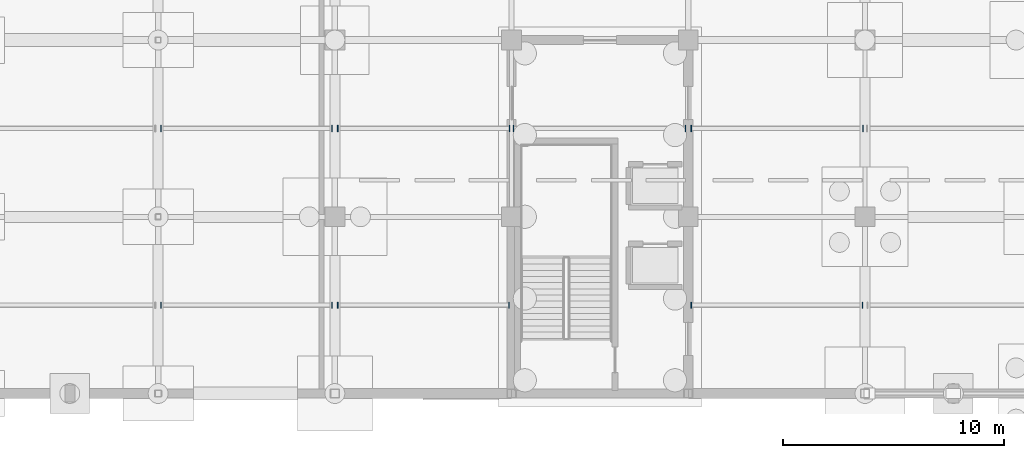
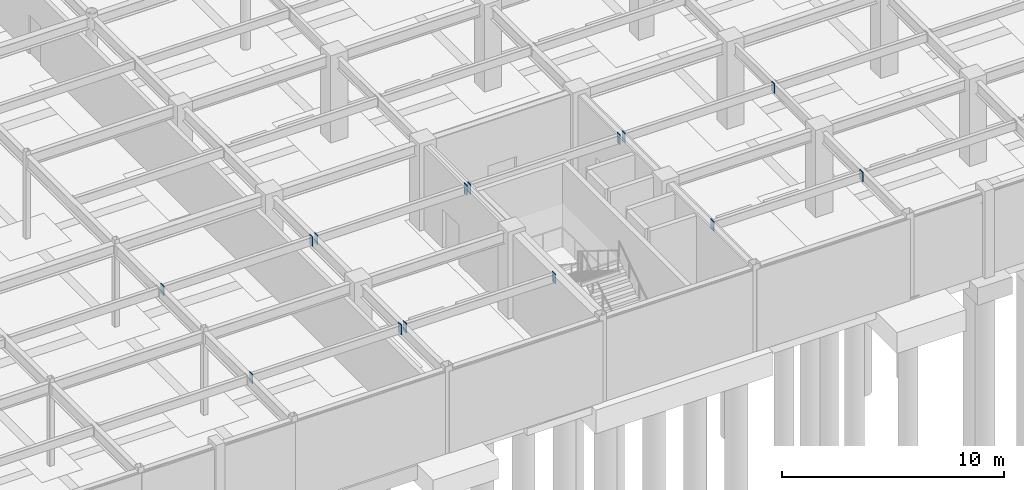
# One storey, part 68 of 105: 14 discrete accessories.
"""IFC4 building model written with IfcOpenShell, lengths in metres."""

from ifc_helpers import new_model, si_unit, direction, frame, origin, origin_2d, place, context, subcontext, project, spatial, rectangle, extrude, material, layer, layer_set, type_object, element, save


model = new_model("IFC4")

# Units and contexts
model_context = context("Model", 3, precision=1e-05, world=origin(), true_north=direction((0.0, 1.0)))
body_context = subcontext(model_context, "Body", "Model", "MODEL_VIEW")
ifc_project = project(units=[si_unit("LENGTHUNIT", "METRE"), si_unit("AREAUNIT", "SQUARE_METRE"), si_unit("VOLUMEUNIT", "CUBIC_METRE"), si_unit("PLANEANGLEUNIT", "RADIAN"), si_unit("MASSUNIT", "GRAM", prefix="KILO")], contexts=[model_context])

# Site, building, storey
site_placement = place(None, origin())
site = spatial("IfcSite", under=ifc_project, at=site_placement, CompositionType="ELEMENT")
building_placement = place(site_placement, origin())
building = spatial("IfcBuilding", under=site, at=building_placement, Name="Solmirada Galleria", CompositionType="ELEMENT")
storey_placement = place(building_placement, frame((0.0, 0.0, -4.800048828125)))
storey = spatial("IfcBuildingStorey", under=building, at=storey_placement, Name="B1", CompositionType="ELEMENT", Elevation=-4.800048828125)

# Discrete accessories
ifc_material = material(Name="Steel S355 / ASTM A572 Grade 50", Category="steel")
ifc_layer = layer(ifc_material, 0.031982421875)
ifc_layer_set = layer_set([ifc_layer], Name="Steel S355 / ASTM A572 Grade 50")
discrete_accessory_type = type_object("IfcDiscreteAccessoryType", Name="ACC-COL-CAP", PredefinedType="BRACKET", material=ifc_layer_set)
for number, where, z_axis, x_axis, name in (
    (1, (72.1279296875, 4.0, 4.08154296875), (0.0, 0.0, 1.0), (1.0, 0.0, 0.0), "Hollow joist end plate L00-10-01-L"),
    (2, (79.873046875, 4.0, 4.08154296875), (0.0, 0.0, 1.0), (1.0, 0.0, 0.0), "Hollow joist end plate L00-10-01-R"),
    (3, (72.1279296875, 12.0, 4.08154296875), (0.0, 0.0, 1.0), (1.0, 0.0, 0.0), "Hollow joist end plate L00-10-02-L"),
    (4, (79.873046875, 12.0, 4.08154296875), (0.0, 0.0, 1.0), (1.0, 0.0, 0.0), "Hollow joist end plate L00-10-02-R"),
    (5, (80.126953125, 4.0, 4.08154296875), (0.0, 0.0, 1.0), (1.0, 0.0, 0.0), "Hollow joist end plate L00-11-01-L"),
    (6, (87.885986328125, 4.0, 4.08154296875), (0.0, 0.0, 1.0), (1.0, 0.0, 0.0), "Hollow joist end plate L00-11-01-R"),
    (7, (80.126953125, 12.0, 4.08154296875), (0.0, 0.0, 1.0), (1.0, 0.0, 0.0), "Hollow joist end plate L00-11-02-L"),
    (8, (87.910888671875, 12.0, 4.08154296875), (0.0, 0.0, 1.0), (1.0, 0.0, 0.0), "Hollow joist end plate L00-11-02-R"),
    (9, (88.089111328125, 12.0, 4.08154296875), (0.0, 0.0, 1.0), (1.0, 0.0, 0.0), "Hollow joist end plate L00-12-02-L"),
    (10, (95.8720703125, 12.0, 4.08154296875), (0.0, 0.0, 1.0), (1.0, 0.0, 0.0), "Hollow joist end plate L00-12-02-R"),
    (11, (96.1279296875, 4.0, 4.08154296875), (0.0, 0.0, 1.0), (1.0, 0.0, 0.0), "Hollow joist end plate L00-13-01-L"),
    (12, (103.885986328125, 4.0, 4.08154296875), (0.0, 0.0, 1.0), (1.0, 0.0, 0.0), "Hollow joist end plate L00-13-01-R"),
    (13, (96.1279296875, 12.0, 4.08154296875), (0.0, 0.0, 1.0), (1.0, 0.0, 0.0), "Hollow joist end plate L00-13-02-L"),
    (14, (103.910888671875, 12.0, 4.08154296875), (0.0, 0.0, 1.0), (1.0, 0.0, 0.0), "Hollow joist end plate L00-13-02-R"),
):
    element("IfcDiscreteAccessory", number, at=place(storey_placement, frame(where, z_axis=z_axis, x_axis=x_axis)), inside=storey, type_object=discrete_accessory_type, Name=name, PredefinedType="BRACKET", context=body_context, shape_type="SweptSolid", body=[
        extrude(rectangle(XDim=0.035888671875, YDim=0.280029296875, at=origin_2d()), origin(), (0.0, 0.0, 1.0), 0.5400390625),
    ])

save(model, "model.ifc")
